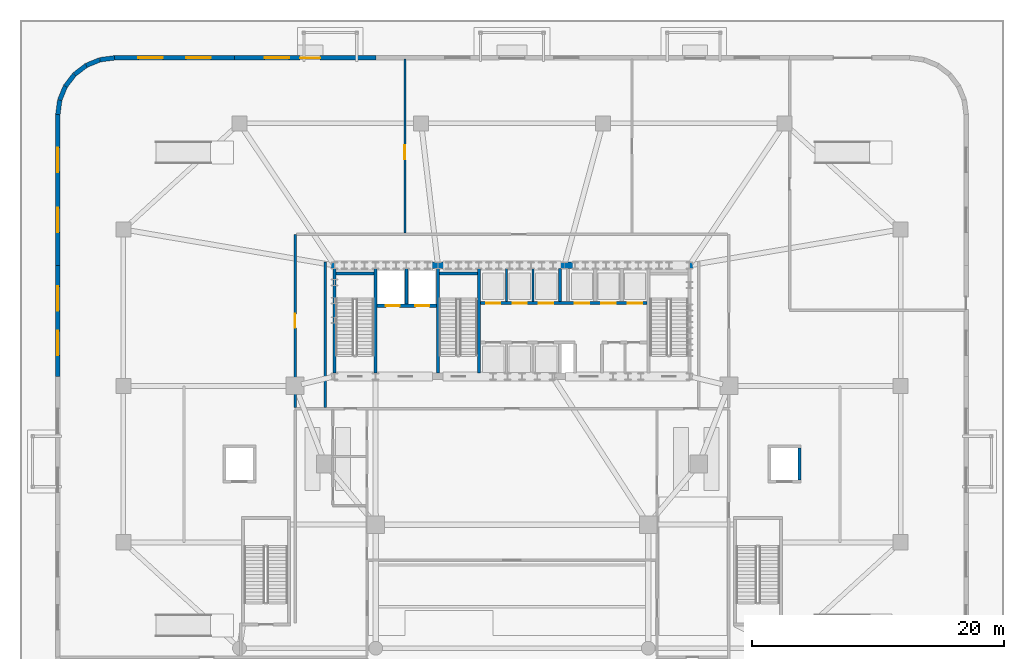
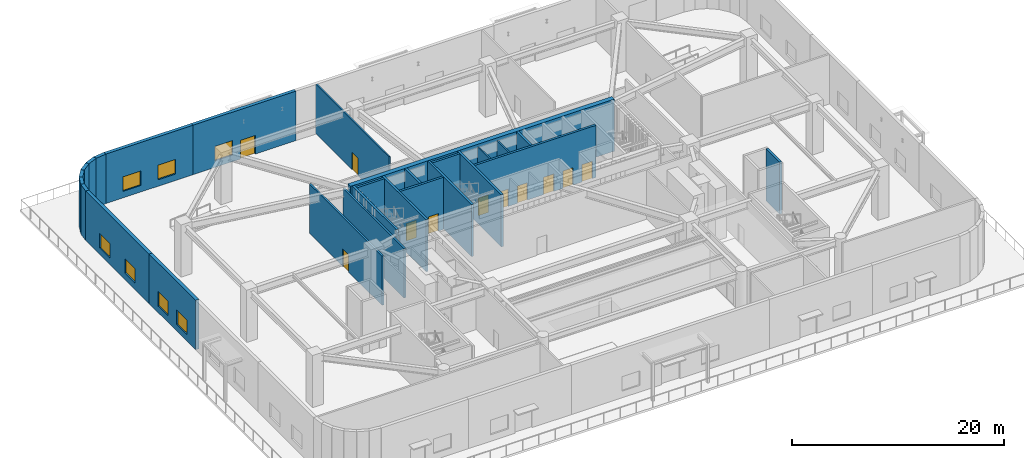
# One storey, part 10 of 21: 27 walls, 11 doors, 7 windows, 18 openings.
"""IFC4 building model written with IfcOpenShell, lengths in metres."""

import ifcopenshell
import ifcopenshell.guid

model = None  # the IFC model being written
_history = None  # IfcOwnerHistory: only IFC2X3 demands one
_inside = {}  # id of a spatial element -> (the spatial element, [elements in it])
_under = {}  # id of a project, library or spatial element -> (it, [spatial elements below it])
_declared = {}  # id of a project -> (the project, [libraries it declares])
_typed = {}  # id of a type object -> (the type object, [elements of that type])
_made_of = {}  # id of a material, layer set ... -> (it, [elements and type objects made of it])


def new_model(schema):
    """Start an empty IFC model of exactly this schema.

    Asked for "IFC4X3", IfcOpenShell would pick the latest addendum, in which some entities
    have other attributes; the version numbers below select the first issue.
    IFC2X3 requires an IfcOwnerHistory on every rooted entity: one is made here for all.
    """
    global model, _history
    if schema == "IFC4X3":
        model = ifcopenshell.file(schema_version=(4, 3, 0, 0))
    else:
        model = ifcopenshell.file(schema=schema)
    _inside.clear()
    _under.clear()
    _declared.clear()
    _typed.clear()
    _made_of.clear()
    _history = None
    if model.schema == "IFC2X3":
        org = make("IfcOrganization", Name="unknown")
        user = make(
            "IfcPersonAndOrganization",
            ThePerson=make("IfcPerson", FamilyName="unknown"),
            TheOrganization=org,
        )
        app = make(
            "IfcApplication",
            ApplicationDeveloper=org,
            Version="unknown",
            ApplicationFullName="unknown",
            ApplicationIdentifier="unknown",
        )
        _history = make(
            "IfcOwnerHistory",
            OwningUser=user,
            OwningApplication=app,
            ChangeAction="ADDED",
            CreationDate=0,
        )
    return model


def make(cls, **values):
    """One entity of the class cls with the attributes given. An attribute that is None is left unset."""
    return model.create_entity(
        cls, **{name: value for name, value in values.items() if value is not None}
    )


def rooted(cls, **values):
    """An entity with a GlobalId (a new one), such as an element, a storey or a relation."""
    return make(cls, GlobalId=ifcopenshell.guid.new(), OwnerHistory=_history, **values)


def si_unit(unit_type, name, prefix=None):
    """IfcSIUnit, for example si_unit("LENGTHUNIT", "METRE", prefix="MILLI")."""
    return make("IfcSIUnit", UnitType=unit_type, Prefix=prefix, Name=name)


def assignment(units):
    """IfcUnitAssignment: the units of a project."""
    return None if units is None else make("IfcUnitAssignment", Units=units)


def point(xyz):
    """IfcCartesianPoint."""
    return None if xyz is None else make("IfcCartesianPoint", Coordinates=xyz)


def direction(xyz):
    """IfcDirection."""
    return None if xyz is None else make("IfcDirection", DirectionRatios=xyz)


def frame(location, z_axis=None, x_axis=None):
    """IfcAxis2Placement3D, a coordinate frame: its origin and axes. An axis left out is left unset."""
    return make(
        "IfcAxis2Placement3D",
        Location=point(location),
        Axis=direction(z_axis),
        RefDirection=direction(x_axis),
    )


def frame_2d(location, x_axis=None):
    """IfcAxis2Placement2D, a coordinate frame in the plane: its origin and x axis."""
    return make(
        "IfcAxis2Placement2D", Location=point(location), RefDirection=direction(x_axis)
    )


def origin():
    """The frame at (0, 0, 0) with its axes left unset."""
    return frame((0.0, 0.0, 0.0))


def place(relative_to, where):
    """IfcLocalPlacement: puts the frame where relative to a parent placement (None: the world)."""
    return make(
        "IfcLocalPlacement", PlacementRelTo=relative_to, RelativePlacement=where
    )


def context(
    kind, dimensions, precision=None, world=None, true_north=None, identifier=None
):
    """IfcGeometricRepresentationContext, for example the 3D "Model" context."""
    return make(
        "IfcGeometricRepresentationContext",
        ContextIdentifier=identifier,
        ContextType=kind,
        CoordinateSpaceDimension=dimensions,
        Precision=precision,
        WorldCoordinateSystem=world,
        TrueNorth=true_north,
    )


def subcontext(parent, identifier, kind, view, scale=None):
    """IfcGeometricRepresentationSubContext, for example "Body" below "Model"."""
    return make(
        "IfcGeometricRepresentationSubContext",
        ContextIdentifier=identifier,
        ContextType=kind,
        ParentContext=parent,
        TargetScale=scale,
        TargetView=view,
    )


def project(units=None, contexts=None):
    """IfcProject with its units and contexts."""
    return rooted(
        "IfcProject",
        Name="project",
        RepresentationContexts=contexts,
        UnitsInContext=assignment(units),
    )


def spatial(cls, under=None, at=None, **own):
    """A site, building, storey or space (cls), placed at a placement, below another one or the project."""
    s = rooted(cls, ObjectPlacement=at, **own)
    if under is not None:
        _under.setdefault(under.id(), (under, []))[1].append(s)
    return s


def profile(cls, at=None, kind="AREA", **sizes):
    """A parametric profile (cls). Its sizes go by their IFC names, for example OverallWidth=200.0."""
    return make(cls, ProfileType=kind, Position=at, **sizes)


def rectangle(**sizes):
    """IfcRectangleProfileDef."""
    return profile("IfcRectangleProfileDef", **sizes)


def extrude(swept, where, along, depth):
    """IfcExtrudedAreaSolid: the profile swept, set in the frame where, extruded along a direction by depth."""
    return make(
        "IfcExtrudedAreaSolid",
        SweptArea=swept,
        Position=where,
        ExtrudedDirection=direction(along),
        Depth=depth,
    )


def shape(context_of_items, identifier, shape_type, items):
    """IfcShapeRepresentation: the items that make up one representation, for example the "Body"."""
    return make(
        "IfcShapeRepresentation",
        ContextOfItems=context_of_items,
        RepresentationIdentifier=identifier,
        RepresentationType=shape_type,
        Items=items,
    )


def material(Name=None, Category=None):
    """IfcMaterial."""
    return make("IfcMaterial", Name=Name, Category=Category)


def layer(
    of_material, thickness, ventilated=None, Name=None, Category=None, Priority=None
):
    """IfcMaterialLayer: one layer of a wall or slab, of a material (None: an air gap)."""
    return make(
        "IfcMaterialLayer",
        Material=of_material,
        LayerThickness=thickness,
        IsVentilated=ventilated,
        Name=Name,
        Category=Category,
        Priority=Priority,
    )


def layer_set(layers, Name=None):
    """IfcMaterialLayerSet."""
    return make("IfcMaterialLayerSet", MaterialLayers=layers, LayerSetName=Name)


def made_of(thing, what):
    """Note that an element or type object is made of a material, layer set ...; save() writes the relation."""
    if what is not None:
        _made_of.setdefault(what.id(), (what, []))[1].append(thing)
    return thing


def type_object(cls, material=None, **own):
    """A type object (cls), such as IfcWallType, which elements share."""
    return made_of(rooted(cls, **own), material)


def element(
    cls,
    number,
    at=None,
    inside=None,
    cuts=None,
    type_object=None,
    material=None,
    context=None,
    identifier="Body",
    shape_type=None,
    held_by="IfcProductDefinitionShape",
    body=None,
    shapes=None,
    **own,
):
    """One element of the class cls, such as IfcWall. Its Tag is "e" and its number.

    at: its placement. inside: the storey or other place that contains it. cuts: it is an
    opening in that element (IfcRelVoidsElement). A single representation is given by context,
    identifier, shape_type and body (its items); several are given by shapes. held_by: the class
    of the entity that holds the representations. save() writes the other relations.
    """
    e = rooted(cls, Tag="e%d" % number, ObjectPlacement=at, **own)
    if body is not None:
        shapes = [shape(context, identifier, shape_type, body)]
    if shapes is not None:
        e.Representation = make(held_by, Representations=shapes)
    if inside is not None:
        _inside.setdefault(inside.id(), (inside, []))[1].append(e)
    if cuts is not None:
        rooted(
            "IfcRelVoidsElement", RelatingBuildingElement=cuts, RelatedOpeningElement=e
        )
    if type_object is not None:
        _typed.setdefault(type_object.id(), (type_object, []))[1].append(e)
    return made_of(e, material)


def fill(opening, filler):
    """IfcRelFillsElement: the door or window that sits in an opening."""
    return rooted(
        "IfcRelFillsElement",
        RelatingOpeningElement=opening,
        RelatedBuildingElement=filler,
    )


def aggregate(whole, parts):
    """IfcRelAggregates: a whole, such as a stair, and the parts it consists of."""
    return rooted("IfcRelAggregates", RelatingObject=whole, RelatedObjects=parts)


def save(model, path):
    """Write the relations noted so far, then the file.

    IfcRelAggregates (storeys below a building ...), IfcRelContainedInSpatialStructure (elements
    in a storey), IfcRelDefinesByType, IfcRelAssociatesMaterial and IfcRelDeclares: one each for
    every whole, place, type object, material and project.
    """
    for whole, parts in _under.values():
        aggregate(whole, parts)
    for where, things in _inside.values():
        rooted(
            "IfcRelContainedInSpatialStructure",
            RelatedElements=things,
            RelatingStructure=where,
        )
    for kind, things in _typed.values():
        rooted("IfcRelDefinesByType", RelatedObjects=things, RelatingType=kind)
    for what, things in _made_of.values():
        rooted("IfcRelAssociatesMaterial", RelatedObjects=things, RelatingMaterial=what)
    for by, libraries in _declared.values():
        rooted("IfcRelDeclares", RelatingContext=by, RelatedDefinitions=libraries)
    model.write(path)


model = new_model("IFC4")

# Units and contexts
model_context = context("Model", 3, precision=1e-05, world=origin(), true_north=direction((0.0, 1.0)))
body_context = subcontext(model_context, "Body", "Model", "MODEL_VIEW")
ifc_project = project(units=[si_unit("LENGTHUNIT", "METRE"), si_unit("AREAUNIT", "SQUARE_METRE"), si_unit("VOLUMEUNIT", "CUBIC_METRE"), si_unit("PLANEANGLEUNIT", "RADIAN"), si_unit("MASSUNIT", "GRAM", prefix="KILO")], contexts=[model_context])

# Site, building, storey
site_placement = place(None, origin())
site = spatial("IfcSite", under=ifc_project, at=site_placement, CompositionType="ELEMENT")
building_placement = place(site_placement, origin())
building = spatial("IfcBuilding", under=site, at=building_placement, Name="Haldorwick Loom Tower", CompositionType="ELEMENT")
storey_placement = place(building_placement, origin())
storey = spatial("IfcBuildingStorey", under=building, at=storey_placement, Name="L00", CompositionType="ELEMENT", Elevation=0.0)

# Wall, openings, door, window
ifc_material_1 = material(Name="Pressed Clay Face Brick and Insulated Masonry Backup Assembly", Category="masonry")
ifc_layer_1 = layer(ifc_material_1, 0.360107421875, Name="Pressed Clay Face Brick and Insulated Masonry Backup Assembly", Category="masonry")
ifc_layer_set_1 = layer_set([ifc_layer_1], Name="Pressed Clay Face Brick and Insulated Masonry Backup Assembly")
wall_type_1 = type_object("IfcWallType", Name="ARC-WL-EXT360", PredefinedType="STANDARD", material=ifc_layer_set_1)
wall_1_placement = place(storey_placement, frame((25.199951171875, 52.0, 0.0), z_axis=(0.0, 0.0, 1.0), x_axis=(-1.0, 0.0, 0.0)))
wall_1 = element("IfcWall", 1, at=wall_1_placement, inside=storey, type_object=wall_type_1, Name="L00 Brick Pier and Spandrel Wall 20", PredefinedType="STANDARD", context=body_context, shape_type="SweptSolid", body=[
    extrude(rectangle(XDim=11.199951171875, YDim=0.360107421875, at=frame_2d((5.60009765625, 0.0))), origin(), (0.0, 0.0, 1.0), 5.699951171875),
])
opening_1_placement = place(wall_1_placement, frame((4.39990234375, 0.0, 0.0)))
opening_1 = element("IfcOpeningElement", 2, at=opening_1_placement, cuts=wall_1, Name="Opening D-EX16", PredefinedType="OPENING", context=body_context, shape_type="SweptSolid", body=[
    extrude(rectangle(XDim=1.60009765625, YDim=2.14990234375, at=frame_2d((0.800048828125, 1.074951171875))), frame((0.0, 0.18994140625, 0.0), z_axis=(0.0, -1.0, 0.0), x_axis=(1.0, 0.0, 0.0)), (0.0, 0.0, 1.0), 0.380126953125),
])
opening_2_placement = place(wall_1_placement, frame((6.864990234375, 0.0, 0.75)))
opening_2 = element("IfcOpeningElement", 3, at=opening_2_placement, cuts=wall_1, Name="Opening W-04B", PredefinedType="OPENING", context=body_context, shape_type="SweptSolid", body=[
    extrude(rectangle(XDim=1.949951171875, YDim=1.679931640625, at=frame_2d((0.97509765625, 0.83984375))), frame((0.0, 0.18994140625, 0.0), z_axis=(0.0, -1.0, 0.0), x_axis=(1.0, 0.0, 0.0)), (0.0, 0.0, 1.0), 0.380126953125),
])
ifc_material_2 = material(Name="Thermally Broken Anodized Aluminium Curtain Wall Framing", Category="aluminium")
door_type_1 = type_object("IfcDoorType", Name="ARC-DR-EXT-DBL", OperationType="DOUBLE_DOOR_SINGLE_SWING", PredefinedType="DOOR", material=ifc_material_2)
door_1_placement = place(opening_1_placement, frame((1.60009765625, 0.0, 0.0), z_axis=(0.0, 0.0, 1.0), x_axis=(-1.0, 0.0, 0.0)))
door_1 = element("IfcDoor", 4, at=door_1_placement, inside=storey, type_object=door_type_1, Name="L00 Grade Exit Door EX-07", OperationType="SINGLE_SWING_LEFT", OverallHeight=2.14990234375, OverallWidth=1.60009765625, PredefinedType="DOOR", context=body_context, shape_type="SweptSolid", body=[
    extrude(rectangle(XDim=1.60009765625, YDim=2.14990234375, at=frame_2d((0.800048828125, 1.074951171875))), frame((0.0, 0.02490234375, 0.0), z_axis=(0.0, -1.0, 0.0), x_axis=(1.0, 0.0, 0.0)), (0.0, 0.0, 1.0), 0.050048828125),
])
fill(opening_1, door_1)
ifc_material_3 = material(Name="Triple-Glazed Low-E Argon Insulated Glazing Unit", Category="glass")
window_type = type_object("IfcWindowType", Name="ARC-WIN-W195", PartitioningType="SINGLE_PANEL", PredefinedType="WINDOW", material=ifc_material_3)
window_1_placement = place(opening_2_placement, origin())
window_1 = element("IfcWindow", 5, at=window_1_placement, inside=storey, type_object=window_type, Name="L00 Deep-Set Zone 7A Window 20", OverallHeight=1.679931640625, OverallWidth=1.949951171875, PartitioningType="SINGLE_PANEL", PredefinedType="WINDOW", context=body_context, shape_type="SweptSolid", body=[
    extrude(rectangle(XDim=1.949951171875, YDim=1.679931640625, at=frame_2d((0.97509765625, 0.83984375))), frame((0.0, 0.030029296875, 0.0), z_axis=(0.0, -1.0, 0.0), x_axis=(1.0, 0.0, 0.0)), (0.0, 0.0, 1.0), 0.06005859375),
])
fill(opening_2, window_1)

# Wall, openings, windows
wall_2_placement = place(storey_placement, frame((14.0, 52.0, 0.0), z_axis=(0.0, 0.0, 1.0), x_axis=(-1.0, 0.0, 0.0)))
wall_2 = element("IfcWall", 6, at=wall_2_placement, inside=storey, type_object=wall_type_1, Name="L00 Brick Pier and Spandrel Wall 21", PredefinedType="STANDARD", context=body_context, shape_type="SweptSolid", body=[
    extrude(rectangle(XDim=9.5, YDim=0.360107421875, at=frame_2d((4.75, 0.0))), origin(), (0.0, 0.0, 1.0), 5.699951171875),
])
opening_3_placement = place(wall_2_placement, frame((1.875, 0.0, 0.75)))
opening_3 = element("IfcOpeningElement", 7, at=opening_3_placement, cuts=wall_2, Name="Opening W-04B", PredefinedType="OPENING", context=body_context, shape_type="SweptSolid", body=[
    extrude(rectangle(XDim=1.949951171875, YDim=1.679931640625, at=frame_2d((0.97509765625, 0.83984375))), frame((0.0, 0.18994140625, 0.0), z_axis=(0.0, -1.0, 0.0), x_axis=(1.0, 0.0, 0.0)), (0.0, 0.0, 1.0), 0.380126953125),
])
opening_4_placement = place(wall_2_placement, frame((5.675048828125, 0.0, 0.75)))
opening_4 = element("IfcOpeningElement", 8, at=opening_4_placement, cuts=wall_2, Name="Opening W-04B", PredefinedType="OPENING", context=body_context, shape_type="SweptSolid", body=[
    extrude(rectangle(XDim=1.949951171875, YDim=1.679931640625, at=frame_2d((0.97509765625, 0.83984375))), frame((0.0, 0.18994140625, 0.0), z_axis=(0.0, -1.0, 0.0), x_axis=(1.0, 0.0, 0.0)), (0.0, 0.0, 1.0), 0.380126953125),
])
window_2_placement = place(opening_3_placement, origin())
window_2 = element("IfcWindow", 9, at=window_2_placement, inside=storey, type_object=window_type, Name="L00 Deep-Set Zone 7A Window 21", OverallHeight=1.679931640625, OverallWidth=1.949951171875, PartitioningType="SINGLE_PANEL", PredefinedType="WINDOW", context=body_context, shape_type="SweptSolid", body=[
    extrude(rectangle(XDim=1.949951171875, YDim=1.679931640625, at=frame_2d((0.97509765625, 0.83984375))), frame((0.0, 0.030029296875, 0.0), z_axis=(0.0, -1.0, 0.0), x_axis=(1.0, 0.0, 0.0)), (0.0, 0.0, 1.0), 0.06005859375),
])
fill(opening_3, window_2)
window_3_placement = place(opening_4_placement, origin())
window_3 = element("IfcWindow", 10, at=window_3_placement, inside=storey, type_object=window_type, Name="L00 Deep-Set Zone 7A Window 21", OverallHeight=1.679931640625, OverallWidth=1.949951171875, PartitioningType="SINGLE_PANEL", PredefinedType="WINDOW", context=body_context, shape_type="SweptSolid", body=[
    extrude(rectangle(XDim=1.949951171875, YDim=1.679931640625, at=frame_2d((0.97509765625, 0.83984375))), frame((0.0, 0.030029296875, 0.0), z_axis=(0.0, -1.0, 0.0), x_axis=(1.0, 0.0, 0.0)), (0.0, 0.0, 1.0), 0.06005859375),
])
fill(opening_4, window_3)

# Walls
wall_3_placement = place(storey_placement, frame((4.5, 52.0, 0.0), z_axis=(0.0, 0.0, 1.0), x_axis=(-0.991447928588, -0.130502892298, 0.0)))
element("IfcWall", 11, at=wall_3_placement, inside=storey, type_object=wall_type_1, Name="L00 Brick Pier and Spandrel Wall 22", PredefinedType="STANDARD", context=body_context, shape_type="SweptSolid", body=[
    extrude(rectangle(XDim=1.1748046875, YDim=0.360107421875, at=frame_2d((0.58740234375, 0.0))), origin(), (0.0, 0.0, 1.0), 5.699951171875),
])
wall_4_placement = place(storey_placement, frame((3.335205078125, 51.8466796875, 0.0), z_axis=(0.0, 0.0, 1.0), x_axis=(-0.923892706888, -0.382651625058, 0.0)))
element("IfcWall", 12, at=wall_4_placement, inside=storey, type_object=wall_type_1, Name="L00 Brick Pier and Spandrel Wall 23", PredefinedType="STANDARD", context=body_context, shape_type="SweptSolid", body=[
    extrude(rectangle(XDim=1.174560546875, YDim=0.360107421875, at=frame_2d((0.58740234375, 0.0))), origin(), (0.0, 0.0, 1.0), 5.699951171875),
])
for number, where, z_axis, x_axis, name in (
    (13, (2.25, 51.397216796875, 0.0), (0.0, 0.0, 1.0), (-0.79324162823, -0.60890698735, 0.0), "L00 Brick Pier and Spandrel Wall 24"),
    (14, (1.318115234375, 50.681884765625, 0.0), (0.0, 0.0, 1.0), (-0.60890698735, -0.79324162823, 0.0), "L00 Brick Pier and Spandrel Wall 25"),
):
    element("IfcWall", number, at=place(storey_placement, frame(where, z_axis=z_axis, x_axis=x_axis)), inside=storey, type_object=wall_type_1, Name=name, PredefinedType="STANDARD", context=body_context, shape_type="SweptSolid", body=[
        extrude(rectangle(XDim=1.1748046875, YDim=0.360107421875, at=frame_2d((0.58740234375, 0.0))), origin(), (0.0, 0.0, 1.0), 5.699951171875),
    ])
wall_5_placement = place(storey_placement, frame((0.602783203125, 49.75, 0.0), z_axis=(0.0, 0.0, 1.0), x_axis=(-0.382651625058, -0.923892706888, 0.0)))
element("IfcWall", 15, at=wall_5_placement, inside=storey, type_object=wall_type_1, Name="L00 Brick Pier and Spandrel Wall 26", PredefinedType="STANDARD", context=body_context, shape_type="SweptSolid", body=[
    extrude(rectangle(XDim=1.174560546875, YDim=0.360107421875, at=frame_2d((0.58740234375, 0.0))), origin(), (0.0, 0.0, 1.0), 5.699951171875),
])
wall_6_placement = place(storey_placement, frame((0.1533203125, 48.664794921875, 0.0), z_axis=(0.0, 0.0, 1.0), x_axis=(-0.130502892298, -0.991447928588, 0.0)))
element("IfcWall", 16, at=wall_6_placement, inside=storey, type_object=wall_type_1, Name="L00 Brick Pier and Spandrel Wall 27", PredefinedType="STANDARD", context=body_context, shape_type="SweptSolid", body=[
    extrude(rectangle(XDim=1.1748046875, YDim=0.360107421875, at=frame_2d((0.58740234375, 0.0))), origin(), (0.0, 0.0, 1.0), 5.699951171875),
])

# Wall, openings, windows
wall_7_placement = place(storey_placement, frame((0.0, 47.5, 0.0), z_axis=(0.0, 0.0, 1.0), x_axis=(0.0, -1.0, 0.0)))
wall_7 = element("IfcWall", 17, at=wall_7_placement, inside=storey, type_object=wall_type_1, Name="L00 Brick Pier and Spandrel Wall 28", PredefinedType="STANDARD", context=body_context, shape_type="SweptSolid", body=[
    extrude(rectangle(XDim=11.949951171875, YDim=0.360107421875, at=frame_2d((5.97509765625, 0.0))), origin(), (0.0, 0.0, 1.0), 5.699951171875),
])
opening_5_placement = place(wall_7_placement, frame((2.610107421875, 0.0, 0.75)))
opening_5 = element("IfcOpeningElement", 18, at=opening_5_placement, cuts=wall_7, Name="Opening W-04B", PredefinedType="OPENING", context=body_context, shape_type="SweptSolid", body=[
    extrude(rectangle(XDim=1.949951171875, YDim=1.679931640625, at=frame_2d((0.97509765625, 0.83984375))), frame((0.0, 0.18994140625, 0.0), z_axis=(0.0, -1.0, 0.0), x_axis=(1.0, 0.0, 0.0)), (0.0, 0.0, 1.0), 0.380126953125),
])
opening_6_placement = place(wall_7_placement, frame((7.389892578125, 0.0, 0.75)))
opening_6 = element("IfcOpeningElement", 19, at=opening_6_placement, cuts=wall_7, Name="Opening W-04B", PredefinedType="OPENING", context=body_context, shape_type="SweptSolid", body=[
    extrude(rectangle(XDim=1.949951171875, YDim=1.679931640625, at=frame_2d((0.97509765625, 0.83984375))), frame((0.0, 0.18994140625, 0.0), z_axis=(0.0, -1.0, 0.0), x_axis=(1.0, 0.0, 0.0)), (0.0, 0.0, 1.0), 0.380126953125),
])
window_4_placement = place(opening_5_placement, origin())
window_4 = element("IfcWindow", 20, at=window_4_placement, inside=storey, type_object=window_type, Name="L00 Deep-Set Zone 7A Window 28", OverallHeight=1.679931640625, OverallWidth=1.949951171875, PartitioningType="SINGLE_PANEL", PredefinedType="WINDOW", context=body_context, shape_type="SweptSolid", body=[
    extrude(rectangle(XDim=1.949951171875, YDim=1.679931640625, at=frame_2d((0.97509765625, 0.83984375))), frame((0.0, 0.030029296875, 0.0), z_axis=(0.0, -1.0, 0.0), x_axis=(1.0, 0.0, 0.0)), (0.0, 0.0, 1.0), 0.06005859375),
])
fill(opening_5, window_4)
window_5_placement = place(opening_6_placement, origin())
window_5 = element("IfcWindow", 21, at=window_5_placement, inside=storey, type_object=window_type, Name="L00 Deep-Set Zone 7A Window 28", OverallHeight=1.679931640625, OverallWidth=1.949951171875, PartitioningType="SINGLE_PANEL", PredefinedType="WINDOW", context=body_context, shape_type="SweptSolid", body=[
    extrude(rectangle(XDim=1.949951171875, YDim=1.679931640625, at=frame_2d((0.97509765625, 0.83984375))), frame((0.0, 0.030029296875, 0.0), z_axis=(0.0, -1.0, 0.0), x_axis=(1.0, 0.0, 0.0)), (0.0, 0.0, 1.0), 0.06005859375),
])
fill(opening_6, window_5)

wall_8_placement = place(storey_placement, frame((0.0, 35.550048828125, 0.0), z_axis=(0.0, 0.0, 1.0), x_axis=(0.0, -1.0, 0.0)))
wall_8 = element("IfcWall", 22, at=wall_8_placement, inside=storey, type_object=wall_type_1, Name="L00 Brick Pier and Spandrel Wall 29", PredefinedType="STANDARD", context=body_context, shape_type="SweptSolid", body=[
    extrude(rectangle(XDim=8.800048828125, YDim=0.360107421875, at=frame_2d((4.39990234375, 0.0))), origin(), (0.0, 0.0, 1.0), 5.699951171875),
])
opening_7_placement = place(wall_8_placement, frame((1.6650390625, 0.0, 0.75)))
opening_7 = element("IfcOpeningElement", 23, at=opening_7_placement, cuts=wall_8, Name="Opening W-04B", PredefinedType="OPENING", context=body_context, shape_type="SweptSolid", body=[
    extrude(rectangle(XDim=1.949951171875, YDim=1.679931640625, at=frame_2d((0.97509765625, 0.83984375))), frame((0.0, 0.18994140625, 0.0), z_axis=(0.0, -1.0, 0.0), x_axis=(1.0, 0.0, 0.0)), (0.0, 0.0, 1.0), 0.380126953125),
])
opening_8_placement = place(wall_8_placement, frame((5.18505859375, 0.0, 0.75)))
opening_8 = element("IfcOpeningElement", 24, at=opening_8_placement, cuts=wall_8, Name="Opening W-04B", PredefinedType="OPENING", context=body_context, shape_type="SweptSolid", body=[
    extrude(rectangle(XDim=1.949951171875, YDim=1.679931640625, at=frame_2d((0.97509765625, 0.83984375))), frame((0.0, 0.18994140625, 0.0), z_axis=(0.0, -1.0, 0.0), x_axis=(1.0, 0.0, 0.0)), (0.0, 0.0, 1.0), 0.380126953125),
])
window_6_placement = place(opening_7_placement, origin())
window_6 = element("IfcWindow", 25, at=window_6_placement, inside=storey, type_object=window_type, Name="L00 Deep-Set Zone 7A Window 29", OverallHeight=1.679931640625, OverallWidth=1.949951171875, PartitioningType="SINGLE_PANEL", PredefinedType="WINDOW", context=body_context, shape_type="SweptSolid", body=[
    extrude(rectangle(XDim=1.949951171875, YDim=1.679931640625, at=frame_2d((0.97509765625, 0.83984375))), frame((0.0, 0.030029296875, 0.0), z_axis=(0.0, -1.0, 0.0), x_axis=(1.0, 0.0, 0.0)), (0.0, 0.0, 1.0), 0.06005859375),
])
fill(opening_7, window_6)
window_7_placement = place(opening_8_placement, origin())
window_7 = element("IfcWindow", 26, at=window_7_placement, inside=storey, type_object=window_type, Name="L00 Deep-Set Zone 7A Window 29", OverallHeight=1.679931640625, OverallWidth=1.949951171875, PartitioningType="SINGLE_PANEL", PredefinedType="WINDOW", context=body_context, shape_type="SweptSolid", body=[
    extrude(rectangle(XDim=1.949951171875, YDim=1.679931640625, at=frame_2d((0.97509765625, 0.83984375))), frame((0.0, 0.030029296875, 0.0), z_axis=(0.0, -1.0, 0.0), x_axis=(1.0, 0.0, 0.0)), (0.0, 0.0, 1.0), 0.06005859375),
])
fill(opening_8, window_7)

# Wall, opening, door
ifc_material_4 = material(Name="Fire-Rated Type X Gypsum Stud Assembly EI 60")
ifc_layer_2 = layer(ifc_material_4, 0.159912109375, Name="Fire-Rated Type X Gypsum Stud Assembly EI 60")
ifc_layer_set_2 = layer_set([ifc_layer_2], Name="Fire-Rated Type X Gypsum Stud Assembly EI 60")
wall_type_2 = type_object("IfcWallType", Name="ARC-WL-FIRE160", PredefinedType="PARTITIONING", material=ifc_layer_set_2)
wall_9_placement = place(storey_placement, frame((27.5, 38.10302734375, 0.0), z_axis=(0.0, 0.0, 1.0), x_axis=(0.0, 1.0, 0.0)))
wall_9 = element("IfcWall", 27, at=wall_9_placement, inside=storey, type_object=wall_type_2, Name="L00 Podium Partition L00-NW1", PredefinedType="PARTITIONING", context=body_context, shape_type="SweptSolid", body=[
    extrude(rectangle(XDim=13.796875, YDim=0.159912109375, at=frame_2d((6.8984375, 0.0))), origin(), (0.0, 0.0, 1.0), 5.68505859375),
])
opening_9_placement = place(wall_9_placement, frame((5.867919921875, 0.0, 0.0)))
opening_9 = element("IfcOpeningElement", 28, at=opening_9_placement, cuts=wall_9, Name="Opening D-FD90", PredefinedType="OPENING", context=body_context, shape_type="SweptSolid", body=[
    extrude(rectangle(XDim=1.10009765625, YDim=2.0, at=frame_2d((0.550048828125, 1.0))), frame((0.0, 0.08984375, 0.0), z_axis=(0.0, -1.0, 0.0), x_axis=(1.0, 0.0, 0.0)), (0.0, 0.0, 1.0), 0.179931640625),
])
ifc_material_5 = material(Name="Hollow Steel Fire Door Assembly", Category="steel")
door_type_2 = type_object("IfcDoorType", Name="ARC-DR-FD90", OperationType="NOTDEFINED", PredefinedType="DOOR", material=ifc_material_5)
door_2_placement = place(opening_9_placement, frame((1.10009765625, 0.0, 0.0), z_axis=(0.0, 0.0, 1.0), x_axis=(-1.0, 0.0, 0.0)))
door_2 = element("IfcDoor", 29, at=door_2_placement, inside=storey, type_object=door_type_2, Name="L00 West Stair Exit Vestibule to North Transit Plaza Concourse Door", OperationType="SINGLE_SWING_RIGHT", OverallHeight=2.0, OverallWidth=1.10009765625, PredefinedType="DOOR", context=body_context, shape_type="SweptSolid", body=[
    extrude(rectangle(XDim=1.10009765625, YDim=2.0, at=frame_2d((0.550048828125, 1.0))), frame((0.0, 0.02490234375, 0.0), z_axis=(0.0, -1.0, 0.0), x_axis=(1.0, 0.0, 0.0)), (0.0, 0.0, 1.0), 0.050048828125),
])
fill(opening_9, door_2)

ifc_material_6 = material(Name="Fire-Rated Type X Gypsum Stud Assembly EI 120")
ifc_layer_3 = layer(ifc_material_6, 0.199951171875, Name="Fire-Rated Type X Gypsum Stud Assembly EI 120")
ifc_layer_set_3 = layer_set([ifc_layer_3], Name="Fire-Rated Type X Gypsum Stud Assembly EI 120")
wall_type_3 = type_object("IfcWallType", Name="ARC-WL-FIRE200", PredefinedType="PARTITIONING", material=ifc_layer_set_3)
wall_10_placement = place(storey_placement, frame((18.800048828125, 24.302978515625, 0.0), z_axis=(0.0, 0.0, 1.0), x_axis=(0.0, 1.0, 0.0)))
wall_10 = element("IfcWall", 30, at=wall_10_placement, inside=storey, type_object=wall_type_3, Name="L00 Podium Partition L00-EPW1", PredefinedType="PARTITIONING", context=body_context, shape_type="SweptSolid", body=[
    extrude(rectangle(XDim=13.697021484375, YDim=0.199951171875, at=frame_2d((6.8486328125, 0.0))), origin(), (0.0, 0.0, 1.0), 5.68505859375),
])
opening_10_placement = place(wall_10_placement, frame((6.298583984375, 0.0, 0.0)))
opening_10 = element("IfcOpeningElement", 31, at=opening_10_placement, cuts=wall_10, Name="Opening D-FD90", PredefinedType="OPENING", context=body_context, shape_type="SweptSolid", body=[
    extrude(rectangle(XDim=1.10009765625, YDim=2.0, at=frame_2d((0.550048828125, 1.0))), frame((0.0, 0.10986328125, 0.0), z_axis=(0.0, -1.0, 0.0), x_axis=(1.0, 0.0, 0.0)), (0.0, 0.0, 1.0), 0.219970703125),
])
door_3_placement = place(opening_10_placement, origin())
door_3 = element("IfcDoor", 32, at=door_3_placement, inside=storey, type_object=door_type_2, Name="L00 West Stair Exit Vestibule to Protected Core Exit Passageway Door", OperationType="SINGLE_SWING_RIGHT", OverallHeight=2.0, OverallWidth=1.10009765625, PredefinedType="DOOR", context=body_context, shape_type="SweptSolid", body=[
    extrude(rectangle(XDim=1.10009765625, YDim=2.0, at=frame_2d((0.550048828125, 1.0))), frame((0.0, 0.02490234375, 0.0), z_axis=(0.0, -1.0, 0.0), x_axis=(1.0, 0.0, 0.0)), (0.0, 0.0, 1.0), 0.050048828125),
])
fill(opening_10, door_3)

# Walls
wall_11_placement = place(storey_placement, frame((21.199951171875, 24.302978515625, 0.0), z_axis=(0.0, 0.0, 1.0), x_axis=(0.0, 1.0, 0.0)))
element("IfcWall", 33, at=wall_11_placement, inside=storey, type_object=wall_type_3, Name="L00 Podium Partition L00-EPW2", PredefinedType="PARTITIONING", context=body_context, shape_type="SweptSolid", body=[
    extrude(rectangle(XDim=11.4970703125, YDim=0.199951171875, at=frame_2d((5.74853515625, 0.0))), origin(), (0.0, 0.0, 1.0), 5.68505859375),
])
ifc_layer_4 = layer(ifc_material_6, 0.1650390625, Name="Fire-Rated Type X Gypsum Stud Assembly EI 120")
ifc_layer_set_4 = layer_set([ifc_layer_4], Name="Fire-Rated Type X Gypsum Stud Assembly EI 120")
wall_type_4 = type_object("IfcWallType", Name="ARC-WL-SHAFT160", PredefinedType="MOVABLE", material=ifc_layer_set_4)
for number, where, z_axis, x_axis, name in (
    (34, (35.550048828125, 32.673095703125, 0.0), (0.0, 0.0, 1.0), (0.0, 1.0, 0.0), "L00 Low-Rise Hoistway Divider 1"),
    (35, (37.64990234375, 32.673095703125, 0.0), (0.0, 0.0, 1.0), (0.0, 1.0, 0.0), "L00 Low-Rise Hoistway Divider 2"),
):
    element("IfcWall", number, at=place(storey_placement, frame(where, z_axis=z_axis, x_axis=x_axis)), inside=storey, type_object=wall_type_4, Name=name, PredefinedType="MOVABLE", context=body_context, shape_type="SweptSolid", body=[
        extrude(rectangle(XDim=2.6240234375, YDim=0.159912109375, at=frame_2d((1.31201171875, 0.0))), origin(), (0.0, 0.0, 1.0), 5.68505859375),
    ])
ifc_material_7 = material(Name="Concrete C60 (60 MPa)", Category="concrete")
ifc_layer_5 = layer(ifc_material_7, 0.5, Name="Concrete C60 (60 MPa)", Category="concrete")
ifc_layer_set_5 = layer_set([ifc_layer_5], Name="Concrete C60 (60 MPa)")
wall_type_5 = type_object("IfcWallType", Name="STR-WL-CORE500", PredefinedType="SHEAR", material=ifc_layer_set_5)
wall_12_placement = place(storey_placement, frame((50.35009765625, 35.550048828125, 0.0), z_axis=(0.0, 0.0, 1.0), x_axis=(-1.0, 0.0, 0.0)))
element("IfcWall", 36, at=wall_12_placement, inside=storey, type_object=wall_type_5, Name="L00 Core Shear Wall N", PredefinedType="SHEAR", context=body_context, shape_type="SweptSolid", body=[
    extrude(rectangle(XDim=28.7001953125, YDim=0.5, at=frame_2d((14.35009765625, 0.0))), origin(), (0.0, 0.0, 1.0), 6.0),
])
ifc_material_8 = material(Name="Concrete C50 (50 MPa)", Category="concrete")
ifc_layer_6 = layer(ifc_material_8, 0.239990234375, Name="Concrete C50 (50 MPa)", Category="concrete")
ifc_layer_set_6 = layer_set([ifc_layer_6], Name="Concrete C50 (50 MPa)")
wall_type_6 = type_object("IfcWallType", Name="STR-WL-SHAFT240", PredefinedType="SHEAR", material=ifc_layer_set_6)
for number, where, z_axis, x_axis, name in (
    (37, (21.929931640625, 35.297119140625, 0.0), (0.0, 0.0, 1.0), (0.0, -1.0, 0.0), "L00 Core Shear Wall W"),
    (38, (25.169921875, 27.0029296875, 0.0), (0.0, 0.0, 1.0), (0.0, 1.0, 0.0), "L00 Core Shear Wall 1"),
):
    element("IfcWall", number, at=place(storey_placement, frame(where, z_axis=z_axis, x_axis=x_axis)), inside=storey, type_object=wall_type_6, Name=name, PredefinedType="SHEAR", context=body_context, shape_type="SweptSolid", body=[
        extrude(rectangle(XDim=8.294189453125, YDim=0.239990234375, at=frame_2d((4.14697265625, 0.0))), origin(), (0.0, 0.0, 1.0), 6.0),
    ])
wall_13_placement = place(storey_placement, frame((22.052978515625, 34.919921875, 0.0), z_axis=(0.0, 0.0, 1.0), x_axis=(1.0, 0.0, 0.0)))
element("IfcWall", 39, at=wall_13_placement, inside=storey, type_object=wall_type_6, Name="L00 Core Shear Wall 1N", PredefinedType="SHEAR", context=body_context, shape_type="SweptSolid", body=[
    extrude(rectangle(XDim=2.994140625, YDim=0.239990234375, at=frame_2d((1.4970703125, 0.0))), origin(), (0.0, 0.0, 1.0), 6.0),
])
for number, where, z_axis, x_axis, name in (
    (40, (30.1298828125, 27.0029296875, 0.0), (0.0, 0.0, 1.0), (0.0, 1.0, 0.0), "L00 Core Shear Wall 2"),
    (41, (33.3701171875, 27.0029296875, 0.0), (0.0, 0.0, 1.0), (0.0, 1.0, 0.0), "L00 Core Shear Wall 3"),
):
    element("IfcWall", number, at=place(storey_placement, frame(where, z_axis=z_axis, x_axis=x_axis)), inside=storey, type_object=wall_type_6, Name=name, PredefinedType="SHEAR", context=body_context, shape_type="SweptSolid", body=[
        extrude(rectangle(XDim=8.294189453125, YDim=0.239990234375, at=frame_2d((4.14697265625, 0.0))), origin(), (0.0, 0.0, 1.0), 6.0),
    ])
wall_14_placement = place(storey_placement, frame((30.2529296875, 34.919921875, 0.0), z_axis=(0.0, 0.0, 1.0), x_axis=(1.0, 0.0, 0.0)))
element("IfcWall", 42, at=wall_14_placement, inside=storey, type_object=wall_type_6, Name="L00 Core Shear Wall 3N", PredefinedType="SHEAR", context=body_context, shape_type="SweptSolid", body=[
    extrude(rectangle(XDim=2.994140625, YDim=0.239990234375, at=frame_2d((1.4970703125, 0.0))), origin(), (0.0, 0.0, 1.0), 6.0),
])

# Wall, openings, doors
wall_15_placement = place(storey_placement, frame((25.29296875, 32.35009765625, 0.0), z_axis=(0.0, 0.0, 1.0), x_axis=(1.0, 0.0, 0.0)))
wall_15 = element("IfcWall", 43, at=wall_15_placement, inside=storey, type_object=wall_type_6, Name="L00 Core Shear Wall FF", PredefinedType="SHEAR", context=body_context, shape_type="SweptSolid", body=[
    extrude(rectangle(XDim=4.714111328125, YDim=0.239990234375, at=frame_2d((2.35693359375, 0.0))), origin(), (0.0, 0.0, 1.0), 6.0),
])
opening_11_placement = place(wall_15_placement, frame((0.70703125, 0.0, 0.0)))
opening_11 = element("IfcOpeningElement", 44, at=opening_11_placement, cuts=wall_15, Name="Opening LD-FF1", PredefinedType="OPENING", context=body_context, shape_type="SweptSolid", body=[
    extrude(rectangle(XDim=1.10009765625, YDim=2.0, at=frame_2d((0.550048828125, 1.0))), frame((0.0, 0.1298828125, 0.0), z_axis=(0.0, -1.0, 0.0), x_axis=(1.0, 0.0, 0.0)), (0.0, 0.0, 1.0), 0.260009765625),
])
opening_12_placement = place(wall_15_placement, frame((3.056884765625, 0.0, 0.0)))
opening_12 = element("IfcOpeningElement", 45, at=opening_12_placement, cuts=wall_15, Name="Opening LD-FF2", PredefinedType="OPENING", context=body_context, shape_type="SweptSolid", body=[
    extrude(rectangle(XDim=1.10009765625, YDim=2.0, at=frame_2d((0.550048828125, 1.0))), frame((0.0, 0.1298828125, 0.0), z_axis=(0.0, -1.0, 0.0), x_axis=(1.0, 0.0, 0.0)), (0.0, 0.0, 1.0), 0.260009765625),
])
door_type_3 = type_object("IfcDoorType", Name="ARC-DR-LD-FF", OperationType="NOTDEFINED", PredefinedType="USERDEFINED", material=ifc_material_5)
door_4_placement = place(opening_11_placement, origin())
door_4 = element("IfcDoor", 46, at=door_4_placement, inside=storey, type_object=door_type_3, Name="L00 Lift LF-FF1 Sliding Landing Door", ObjectType="LANDING DOOR", OperationType="DOUBLE_DOOR_SLIDING", OverallHeight=2.0, OverallWidth=1.10009765625, PredefinedType="USERDEFINED", context=body_context, shape_type="SweptSolid", body=[
    extrude(rectangle(XDim=1.10009765625, YDim=2.0, at=frame_2d((0.550048828125, 1.0))), frame((0.0, 0.02490234375, 0.0), z_axis=(0.0, -1.0, 0.0), x_axis=(1.0, 0.0, 0.0)), (0.0, 0.0, 1.0), 0.050048828125),
])
fill(opening_11, door_4)
door_5_placement = place(opening_12_placement, origin())
door_5 = element("IfcDoor", 47, at=door_5_placement, inside=storey, type_object=door_type_3, Name="L00 Lift LF-FF2 Sliding Landing Door", ObjectType="LANDING DOOR", OperationType="DOUBLE_DOOR_SLIDING", OverallHeight=2.0, OverallWidth=1.10009765625, PredefinedType="USERDEFINED", context=body_context, shape_type="SweptSolid", body=[
    extrude(rectangle(XDim=1.10009765625, YDim=2.0, at=frame_2d((0.550048828125, 1.0))), frame((0.0, 0.02490234375, 0.0), z_axis=(0.0, -1.0, 0.0), x_axis=(1.0, 0.0, 0.0)), (0.0, 0.0, 1.0), 0.050048828125),
])
fill(opening_12, door_5)

# Wall
wall_16_placement = place(storey_placement, frame((27.64990234375, 32.472900390625, 0.0), z_axis=(0.0, 0.0, 1.0), x_axis=(0.0, 1.0, 0.0)))
element("IfcWall", 48, at=wall_16_placement, inside=storey, type_object=wall_type_6, Name="L00 Core Shear Wall FFD", PredefinedType="SHEAR", context=body_context, shape_type="SweptSolid", body=[
    extrude(rectangle(XDim=2.82421875, YDim=0.239990234375, at=frame_2d((1.412109375, 0.0))), origin(), (0.0, 0.0, 1.0), 6.0),
])

# Wall, openings, doors
wall_17_placement = place(storey_placement, frame((33.492919921875, 32.550048828125, 0.0), z_axis=(0.0, 0.0, 1.0), x_axis=(1.0, 0.0, 0.0)))
wall_17 = element("IfcWall", 49, at=wall_17_placement, inside=storey, type_object=wall_type_6, Name="L00 Core Shear Wall LN", PredefinedType="SHEAR", context=body_context, shape_type="SweptSolid", body=[
    extrude(rectangle(XDim=13.214111328125, YDim=0.239990234375, at=frame_2d((6.60693359375, 0.0))), origin(), (0.0, 0.0, 1.0), 6.0),
])
opening_13_placement = place(wall_17_placement, frame((0.447021484375, 0.0, 0.0)))
opening_13 = element("IfcOpeningElement", 50, at=opening_13_placement, cuts=wall_17, Name="Opening LD-L1", PredefinedType="OPENING", context=body_context, shape_type="SweptSolid", body=[
    extrude(rectangle(XDim=1.1201171875, YDim=2.0, at=frame_2d((0.56005859375, 1.0))), frame((0.0, 0.1298828125, 0.0), z_axis=(0.0, -1.0, 0.0), x_axis=(1.0, 0.0, 0.0)), (0.0, 0.0, 1.0), 0.260009765625),
])
opening_14_placement = place(wall_17_placement, frame((2.547119140625, 0.0, 0.0)))
opening_14 = element("IfcOpeningElement", 51, at=opening_14_placement, cuts=wall_17, Name="Opening LD-L2", PredefinedType="OPENING", context=body_context, shape_type="SweptSolid", body=[
    extrude(rectangle(XDim=1.1201171875, YDim=2.0, at=frame_2d((0.56005859375, 1.0))), frame((0.0, 0.1298828125, 0.0), z_axis=(0.0, -1.0, 0.0), x_axis=(1.0, 0.0, 0.0)), (0.0, 0.0, 1.0), 0.260009765625),
])
opening_15_placement = place(wall_17_placement, frame((4.64697265625, 0.0, 0.0)))
opening_15 = element("IfcOpeningElement", 52, at=opening_15_placement, cuts=wall_17, Name="Opening LD-L3", PredefinedType="OPENING", context=body_context, shape_type="SweptSolid", body=[
    extrude(rectangle(XDim=1.1201171875, YDim=2.0, at=frame_2d((0.56005859375, 1.0))), frame((0.0, 0.1298828125, 0.0), z_axis=(0.0, -1.0, 0.0), x_axis=(1.0, 0.0, 0.0)), (0.0, 0.0, 1.0), 0.260009765625),
])
opening_16_placement = place(wall_17_placement, frame((7.4970703125, 0.0, 0.0)))
opening_16 = element("IfcOpeningElement", 53, at=opening_16_placement, cuts=wall_17, Name="Opening LD-H1", PredefinedType="OPENING", context=body_context, shape_type="SweptSolid", body=[
    extrude(rectangle(XDim=1.1201171875, YDim=2.0, at=frame_2d((0.56005859375, 1.0))), frame((0.0, 0.1298828125, 0.0), z_axis=(0.0, -1.0, 0.0), x_axis=(1.0, 0.0, 0.0)), (0.0, 0.0, 1.0), 0.260009765625),
])
opening_17_placement = place(wall_17_placement, frame((9.596923828125, 0.0, 0.0)))
opening_17 = element("IfcOpeningElement", 54, at=opening_17_placement, cuts=wall_17, Name="Opening LD-H2", PredefinedType="OPENING", context=body_context, shape_type="SweptSolid", body=[
    extrude(rectangle(XDim=1.1201171875, YDim=2.0, at=frame_2d((0.56005859375, 1.0))), frame((0.0, 0.1298828125, 0.0), z_axis=(0.0, -1.0, 0.0), x_axis=(1.0, 0.0, 0.0)), (0.0, 0.0, 1.0), 0.260009765625),
])
opening_18_placement = place(wall_17_placement, frame((11.697021484375, 0.0, 0.0)))
opening_18 = element("IfcOpeningElement", 55, at=opening_18_placement, cuts=wall_17, Name="Opening LD-H3", PredefinedType="OPENING", context=body_context, shape_type="SweptSolid", body=[
    extrude(rectangle(XDim=1.1201171875, YDim=2.0, at=frame_2d((0.56005859375, 1.0))), frame((0.0, 0.1298828125, 0.0), z_axis=(0.0, -1.0, 0.0), x_axis=(1.0, 0.0, 0.0)), (0.0, 0.0, 1.0), 0.260009765625),
])
door_type_4 = type_object("IfcDoorType", Name="ARC-DR-LD-PAX", OperationType="NOTDEFINED", PredefinedType="USERDEFINED", material=ifc_material_5)
door_6_placement = place(opening_13_placement, origin())
door_6 = element("IfcDoor", 56, at=door_6_placement, inside=storey, type_object=door_type_4, Name="L00 Lift LF-L1 Sliding Landing Door", ObjectType="LANDING DOOR", OperationType="DOUBLE_DOOR_SLIDING", OverallHeight=2.0, OverallWidth=1.1201171875, PredefinedType="USERDEFINED", context=body_context, shape_type="SweptSolid", body=[
    extrude(rectangle(XDim=1.1201171875, YDim=2.0, at=frame_2d((0.56005859375, 1.0))), frame((0.0, 0.02490234375, 0.0), z_axis=(0.0, -1.0, 0.0), x_axis=(1.0, 0.0, 0.0)), (0.0, 0.0, 1.0), 0.050048828125),
])
fill(opening_13, door_6)
door_7_placement = place(opening_14_placement, origin())
door_7 = element("IfcDoor", 57, at=door_7_placement, inside=storey, type_object=door_type_4, Name="L00 Lift LF-L2 Sliding Landing Door", ObjectType="LANDING DOOR", OperationType="DOUBLE_DOOR_SLIDING", OverallHeight=2.0, OverallWidth=1.1201171875, PredefinedType="USERDEFINED", context=body_context, shape_type="SweptSolid", body=[
    extrude(rectangle(XDim=1.1201171875, YDim=2.0, at=frame_2d((0.56005859375, 1.0))), frame((0.0, 0.02490234375, 0.0), z_axis=(0.0, -1.0, 0.0), x_axis=(1.0, 0.0, 0.0)), (0.0, 0.0, 1.0), 0.050048828125),
])
fill(opening_14, door_7)
door_8_placement = place(opening_15_placement, origin())
door_8 = element("IfcDoor", 58, at=door_8_placement, inside=storey, type_object=door_type_4, Name="L00 Lift LF-L3 Sliding Landing Door", ObjectType="LANDING DOOR", OperationType="DOUBLE_DOOR_SLIDING", OverallHeight=2.0, OverallWidth=1.1201171875, PredefinedType="USERDEFINED", context=body_context, shape_type="SweptSolid", body=[
    extrude(rectangle(XDim=1.1201171875, YDim=2.0, at=frame_2d((0.56005859375, 1.0))), frame((0.0, 0.02490234375, 0.0), z_axis=(0.0, -1.0, 0.0), x_axis=(1.0, 0.0, 0.0)), (0.0, 0.0, 1.0), 0.050048828125),
])
fill(opening_15, door_8)
door_9_placement = place(opening_16_placement, origin())
door_9 = element("IfcDoor", 59, at=door_9_placement, inside=storey, type_object=door_type_4, Name="L00 Lift LF-H1 Sliding Landing Door", ObjectType="LANDING DOOR", OperationType="DOUBLE_DOOR_SLIDING", OverallHeight=2.0, OverallWidth=1.1201171875, PredefinedType="USERDEFINED", context=body_context, shape_type="SweptSolid", body=[
    extrude(rectangle(XDim=1.1201171875, YDim=2.0, at=frame_2d((0.56005859375, 1.0))), frame((0.0, 0.02490234375, 0.0), z_axis=(0.0, -1.0, 0.0), x_axis=(1.0, 0.0, 0.0)), (0.0, 0.0, 1.0), 0.050048828125),
])
fill(opening_16, door_9)
door_10_placement = place(opening_17_placement, origin())
door_10 = element("IfcDoor", 60, at=door_10_placement, inside=storey, type_object=door_type_4, Name="L00 Lift LF-H2 Sliding Landing Door", ObjectType="LANDING DOOR", OperationType="DOUBLE_DOOR_SLIDING", OverallHeight=2.0, OverallWidth=1.1201171875, PredefinedType="USERDEFINED", context=body_context, shape_type="SweptSolid", body=[
    extrude(rectangle(XDim=1.1201171875, YDim=2.0, at=frame_2d((0.56005859375, 1.0))), frame((0.0, 0.02490234375, 0.0), z_axis=(0.0, -1.0, 0.0), x_axis=(1.0, 0.0, 0.0)), (0.0, 0.0, 1.0), 0.050048828125),
])
fill(opening_17, door_10)
door_11_placement = place(opening_18_placement, origin())
door_11 = element("IfcDoor", 61, at=door_11_placement, inside=storey, type_object=door_type_4, Name="L00 Lift LF-H3 Sliding Landing Door", ObjectType="LANDING DOOR", OperationType="DOUBLE_DOOR_SLIDING", OverallHeight=2.0, OverallWidth=1.1201171875, PredefinedType="USERDEFINED", context=body_context, shape_type="SweptSolid", body=[
    extrude(rectangle(XDim=1.1201171875, YDim=2.0, at=frame_2d((0.56005859375, 1.0))), frame((0.0, 0.02490234375, 0.0), z_axis=(0.0, -1.0, 0.0), x_axis=(1.0, 0.0, 0.0)), (0.0, 0.0, 1.0), 0.050048828125),
])
fill(opening_18, door_11)

# Walls
wall_18_placement = place(storey_placement, frame((39.800048828125, 32.673095703125, 0.0), z_axis=(0.0, 0.0, 1.0), x_axis=(0.0, 1.0, 0.0)))
element("IfcWall", 62, at=wall_18_placement, inside=storey, type_object=wall_type_6, Name="L00 Core Shear Wall LHW", PredefinedType="SHEAR", context=body_context, shape_type="SweptSolid", body=[
    extrude(rectangle(XDim=2.6240234375, YDim=0.239990234375, at=frame_2d((1.31201171875, 0.0))), origin(), (0.0, 0.0, 1.0), 6.0),
])
wall_19_placement = place(storey_placement, frame((58.800048828125, 18.52294921875, 0.0), z_axis=(0.0, 0.0, 1.0), x_axis=(0.0, 1.0, 0.0)))
element("IfcWall", 63, at=wall_19_placement, inside=storey, type_object=wall_type_6, Name="L00 Podium Lift Shaft LF-P2 Wall", PredefinedType="SHEAR", context=body_context, shape_type="SweptSolid", body=[
    extrude(rectangle(XDim=2.553955078125, YDim=0.239990234375, at=frame_2d((1.27685546875, 0.0))), origin(), (0.0, 0.0, 1.0), 6.0),
])

save(model, "model.ifc")
